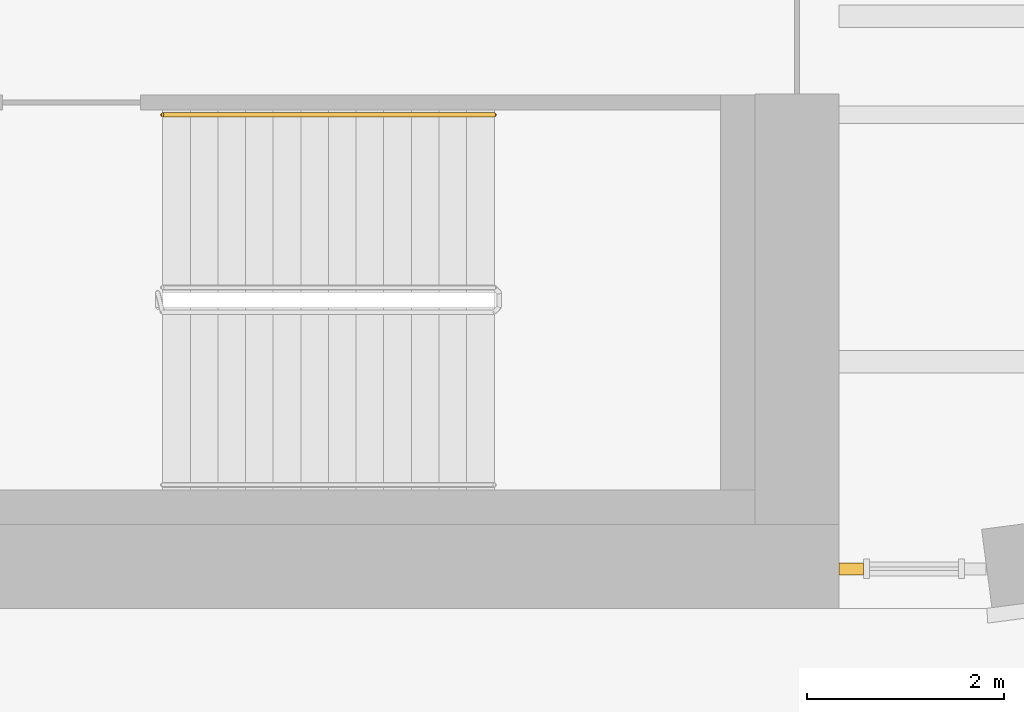
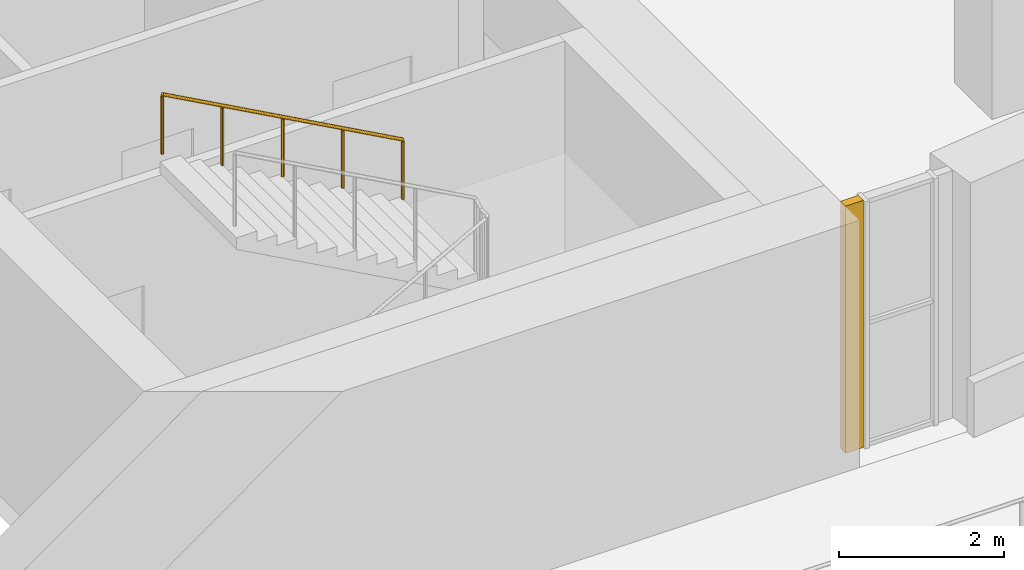
# One storey, part 19 of 23: 1 covering, 1 railing.
"""IFC4 building model written with IfcOpenShell, lengths in metres."""

from ifc_helpers import new_model, si_unit, direction, frame, origin, origin_2d, place, context, subcontext, project, spatial, rectangle, circle, extrude, material, layer, layer_set, type_object, element, save


model = new_model("IFC4")

# Units and contexts
model_context = context("Model", 3, precision=1e-05, world=origin(), true_north=direction((0.0, 1.0)))
body_context = subcontext(model_context, "Body", "Model", "MODEL_VIEW")
ifc_project = project(units=[si_unit("LENGTHUNIT", "METRE"), si_unit("AREAUNIT", "SQUARE_METRE"), si_unit("VOLUMEUNIT", "CUBIC_METRE"), si_unit("PLANEANGLEUNIT", "RADIAN"), si_unit("MASSUNIT", "GRAM", prefix="KILO")], contexts=[model_context])

# Site, building, storey
site_placement = place(None, origin())
site = spatial("IfcSite", under=ifc_project, at=site_placement, CompositionType="ELEMENT")
building_placement = place(site_placement, origin())
building = spatial("IfcBuilding", under=site, at=building_placement, Name="Zellij Exchange Tower", CompositionType="ELEMENT")
storey_placement = place(building_placement, frame((0.0, 0.0, 212.5)))
storey = spatial("IfcBuildingStorey", under=building, at=storey_placement, Name="L49", CompositionType="ELEMENT", Elevation=212.5)

# Railing
ifc_material_1 = material(Name="Stainless steel", Category="steel")
railing_type = type_object("IfcRailingType", Name="CORE-RH stair handrail", PredefinedType="HANDRAIL", material=ifc_material_1)
railing_placement = place(storey_placement, frame((23.510009765625, -9.0, 2.15380859375)))
element("IfcRailing", 1, at=railing_placement, inside=storey, type_object=railing_type, Name="ST4 stair handrail L49", PredefinedType="HANDRAIL", context=body_context, shape_type="SweptSolid", body=[
    extrude(circle(Radius=0.02392578125, at=origin_2d()), frame((0.0, 0.0, 0.8759765625), z_axis=(-0.876421534553, 0.0, 0.481544695509), x_axis=(0.0, -1.0, 0.0)), (0.0, 0.0, 1.0), 3.833984375),
    extrude(circle(Radius=0.02099609375, at=origin_2d()), origin(), (0.0, 0.0, 1.0), 0.851806640625),
    extrude(circle(Radius=0.02099609375, at=origin_2d()), frame((-0.840087890625, 0.0, 0.46142578125)), (0.0, 0.0, 1.0), 0.851806640625),
    extrude(circle(Radius=0.02099609375, at=origin_2d()), frame((-1.68017578125, 0.0, 0.923095703125)), (0.0, 0.0, 1.0), 0.851806640625),
    extrude(circle(Radius=0.02099609375, at=origin_2d()), frame((-2.52001953125, 0.0, 1.384765625)), (0.0, 0.0, 1.0), 0.851806640625),
    extrude(circle(Radius=0.02099609375, at=origin_2d()), frame((-3.360107421875, 0.0, 1.84619140625)), (0.0, 0.0, 1.0), 0.851806640625),
])

# Covering
ifc_material_2 = material(Name="Limestone cladding", Category="masonry")
ifc_layer = layer(ifc_material_2, 0.1201171875)
ifc_layer_set = layer_set([ifc_layer], Name="Limestone cladding")
covering_type = type_object("IfcCoveringType", Name="ENV-CV18 Glazing closer 120", PredefinedType="CLADDING", material=ifc_layer_set)
covering_placement = place(storey_placement, frame((27.125, -13.60009765625, 0.0), z_axis=(0.0, 0.0, 1.0), x_axis=(-1.0, 0.0, 0.0)))
element("IfcCovering", 2, at=covering_placement, inside=storey, type_object=covering_type, Name="Glazing closer", PredefinedType="CLADDING", context=body_context, shape_type="SweptSolid", body=[
    extrude(rectangle(XDim=0.25, YDim=0.1201171875, at=origin_2d()), origin(), (0.0, 0.0, 1.0), 3.64990234375),
])

save(model, "model.ifc")
